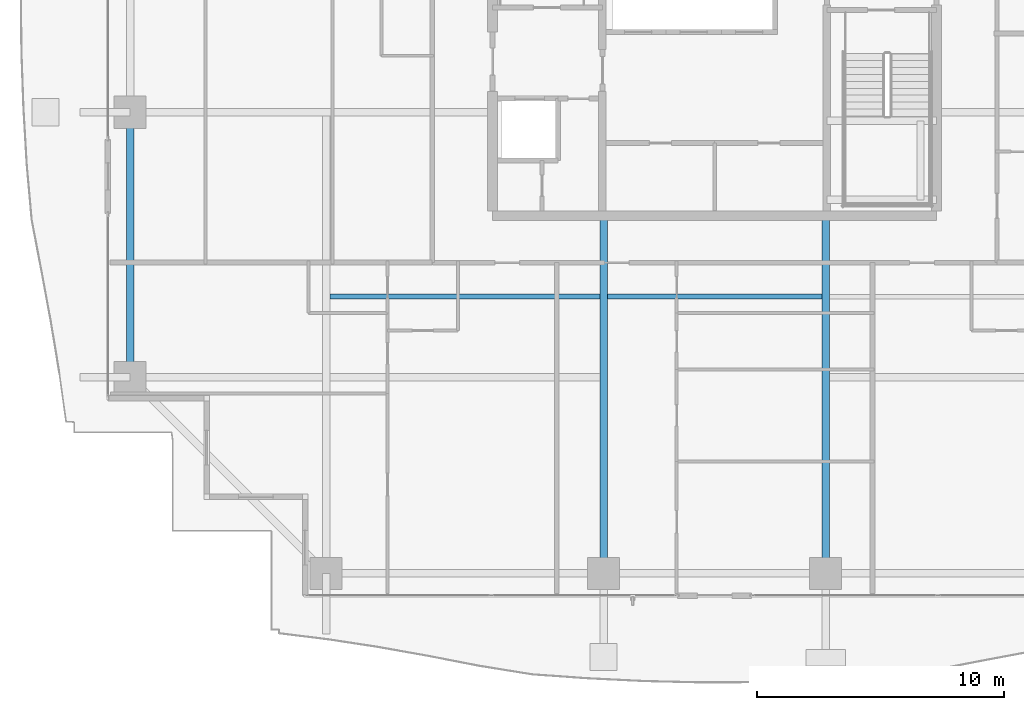
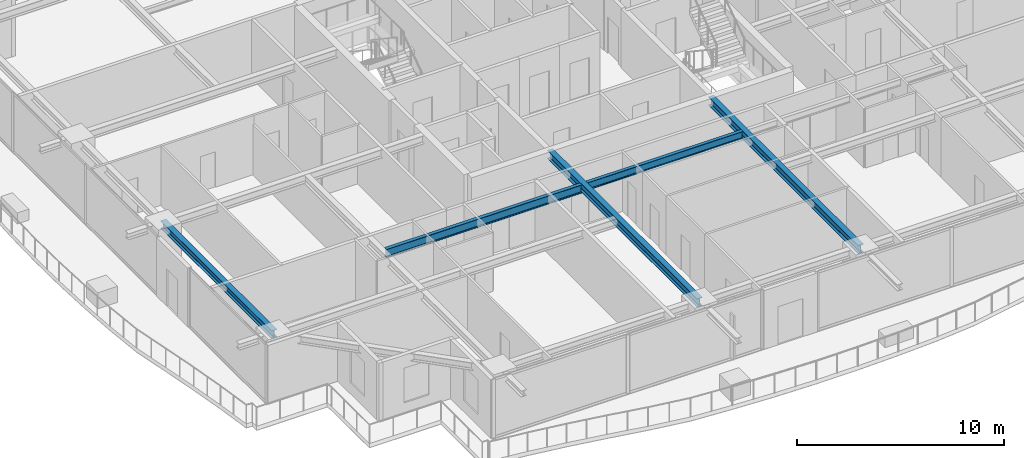
# One storey, part 6 of 35: 5 beams.
"""IFC4 building model written with IfcOpenShell, lengths in metres."""

from ifc_helpers import new_model, si_unit, direction, frame, origin, origin_2d, place, context, subcontext, project, spatial, i_section, extrude, source, transform, mapped, material, material_profile, profile_set, type_object, element, save


model = new_model("IFC4")

# Units and contexts
model_context = context("Model", 3, precision=1e-05, world=origin(), true_north=direction((0.0, 1.0)))
body_context = subcontext(model_context, "Body", "Model", "MODEL_VIEW")
ifc_project = project(units=[si_unit("LENGTHUNIT", "METRE"), si_unit("AREAUNIT", "SQUARE_METRE"), si_unit("VOLUMEUNIT", "CUBIC_METRE"), si_unit("PLANEANGLEUNIT", "RADIAN"), si_unit("MASSUNIT", "GRAM", prefix="KILO")], contexts=[model_context])

# Site, building, storey
site_placement = place(None, origin())
site = spatial("IfcSite", under=ifc_project, at=site_placement, CompositionType="ELEMENT")
building_placement = place(site_placement, origin())
building = spatial("IfcBuilding", under=site, at=building_placement, Name="Serunith Strait Residences", CompositionType="ELEMENT")
storey_placement = place(building_placement, frame((0.0, 0.0, 157.64990234375)))
storey = spatial("IfcBuildingStorey", under=building, at=storey_placement, Name="L39", CompositionType="ELEMENT", Elevation=157.64990234375)

# Beams
ifc_material = material(Name="Steel S355J2", Category="steel")
ifc_material_profile_1 = material_profile(ifc_material, i_section(OverallWidth=0.18994140625, OverallDepth=0.449951171875, WebThickness=0.009521484375, FlangeThickness=0.0146484375, FilletRadius=0.02099609375, at=origin_2d()), Name="IPE 450")
ifc_profile_set_1 = profile_set([ifc_material_profile_1], Name="Steel S355J2")
beam_type_1 = type_object("IfcBeamType", Name="BM-IPE450", PredefinedType="JOIST", material=ifc_profile_set_1)
shared_shape_1 = source(origin(), body_context, "Body", "SweptSolid", [
    extrude(i_section(OverallWidth=0.18994140625, OverallDepth=0.449951171875, WebThickness=0.009521484375, FlangeThickness=0.0146484375, FilletRadius=0.02099609375, at=origin_2d()), origin(), (0.0, 0.0, 1.0), 8.699951171875),
])
beam_1_placement = place(storey_placement, frame((28.050048828125, 13.52490234375, 3.26220703125), z_axis=(1.0, 0.0, 0.0), x_axis=(0.0, 1.0, 0.0)))
element("IfcBeam", 1, at=beam_1_placement, inside=storey, type_object=beam_type_1, Name="L39 Composite Floor Joist 02", PredefinedType="JOIST", context=body_context, shape_type="MappedRepresentation", body=[
    mapped(shared_shape_1, transform((0.0, 0.0, 0.0), scale=1.0)),
])
ifc_material_profile_2 = material_profile(ifc_material, i_section(OverallWidth=0.300048828125, OverallDepth=0.5, WebThickness=0.014404296875, FlangeThickness=0.028076171875, FilletRadius=0.027099609375, at=origin_2d()), Name="HEB 500")
ifc_profile_set_2 = profile_set([ifc_material_profile_2], Name="Steel S355J2")
beam_type_2 = type_object("IfcBeamType", Name="BM-HEB500", PredefinedType="BEAM", material=ifc_profile_set_2)
shared_shape_2 = source(origin(), body_context, "Body", "SweptSolid", [
    extrude(i_section(OverallWidth=0.300048828125, OverallDepth=0.5, WebThickness=0.014404296875, FlangeThickness=0.028076171875, FilletRadius=0.027099609375, at=origin_2d()), origin(), (0.0, 0.0, 1.0), 14.5),
])
for number, where, z_axis, x_axis, name in (
    (2, (27.89990234375, 16.800048828125, 3.237060546875), (0.0, -1.0, 0.0), (1.0, 0.0, 0.0), "L39 Primary Floor Girder TC-S2"),
    (3, (36.89990234375, 16.800048828125, 3.237060546875), (0.0, -1.0, 0.0), (1.0, 0.0, 0.0), "L39 Primary Floor Girder TC-S3"),
):
    element("IfcBeam", number, at=place(storey_placement, frame(where, z_axis=z_axis, x_axis=x_axis)), inside=storey, type_object=beam_type_2, Name=name, PredefinedType="BEAM", context=body_context, shape_type="MappedRepresentation", body=[
        mapped(shared_shape_2, transform((0.0, 0.0, 0.0), scale=1.0)),
    ])
ifc_material_profile_3 = material_profile(ifc_material, i_section(OverallWidth=0.300048828125, OverallDepth=0.449951171875, WebThickness=0.013916015625, FlangeThickness=0.02587890625, FilletRadius=0.027099609375, at=origin_2d()), Name="HEB 450")
ifc_profile_set_3 = profile_set([ifc_material_profile_3], Name="Steel S355J2")
beam_type_3 = type_object("IfcBeamType", Name="BM-HEB450", PredefinedType="BEAM", material=ifc_profile_set_3)
shared_shape_3 = source(origin(), body_context, "Body", "SweptSolid", [
    extrude(i_section(OverallWidth=0.300048828125, OverallDepth=0.449951171875, WebThickness=0.013916015625, FlangeThickness=0.02587890625, FilletRadius=0.027099609375, at=origin_2d()), origin(), (0.0, 0.0, 1.0), 10.75),
])
beam_2_placement = place(storey_placement, frame((8.699951171875, 21.0, 3.26220703125), z_axis=(0.0, -1.0, 0.0), x_axis=(1.0, 0.0, 0.0)))
element("IfcBeam", 4, at=beam_2_placement, inside=storey, type_object=beam_type_3, Name="L39 Perimeter Ring Beam 15", PredefinedType="BEAM", context=body_context, shape_type="MappedRepresentation", body=[
    mapped(shared_shape_3, transform((0.0, 0.0, 0.0), scale=1.0)),
])
ifc_material_profile_4 = material_profile(ifc_material, i_section(OverallWidth=0.199951171875, OverallDepth=0.5, WebThickness=0.01025390625, FlangeThickness=0.01611328125, FilletRadius=0.02099609375, at=origin_2d()), Name="IPE 500")
ifc_profile_set_4 = profile_set([ifc_material_profile_4], Name="Steel S355J2")
beam_type_4 = type_object("IfcBeamType", Name="BM-IPE500", PredefinedType="JOIST", material=ifc_profile_set_4)
shared_shape_4 = source(origin(), body_context, "Body", "SweptSolid", [
    extrude(i_section(OverallWidth=0.199951171875, OverallDepth=0.5, WebThickness=0.01025390625, FlangeThickness=0.01611328125, FilletRadius=0.02099609375, at=origin_2d()), origin(), (0.0, 0.0, 1.0), 10.949951171875),
])
beam_3_placement = place(storey_placement, frame((16.800048828125, 13.52490234375, 3.237060546875), z_axis=(1.0, 0.0, 0.0), x_axis=(0.0, 1.0, 0.0)))
element("IfcBeam", 5, at=beam_3_placement, inside=storey, type_object=beam_type_4, Name="L39 Composite Floor Joist 01", PredefinedType="JOIST", context=body_context, shape_type="MappedRepresentation", body=[
    mapped(shared_shape_4, transform((0.0, 0.0, 0.0), scale=1.0)),
])

save(model, "model.ifc")
